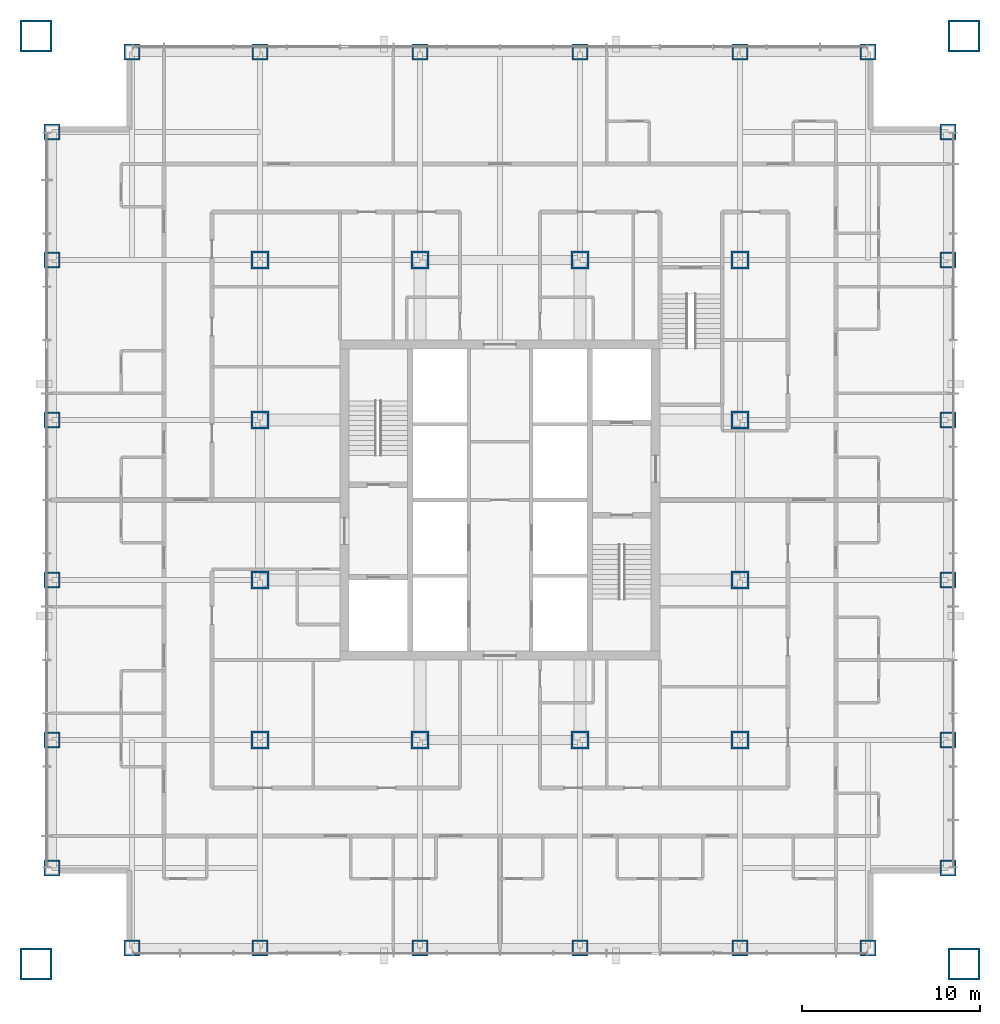
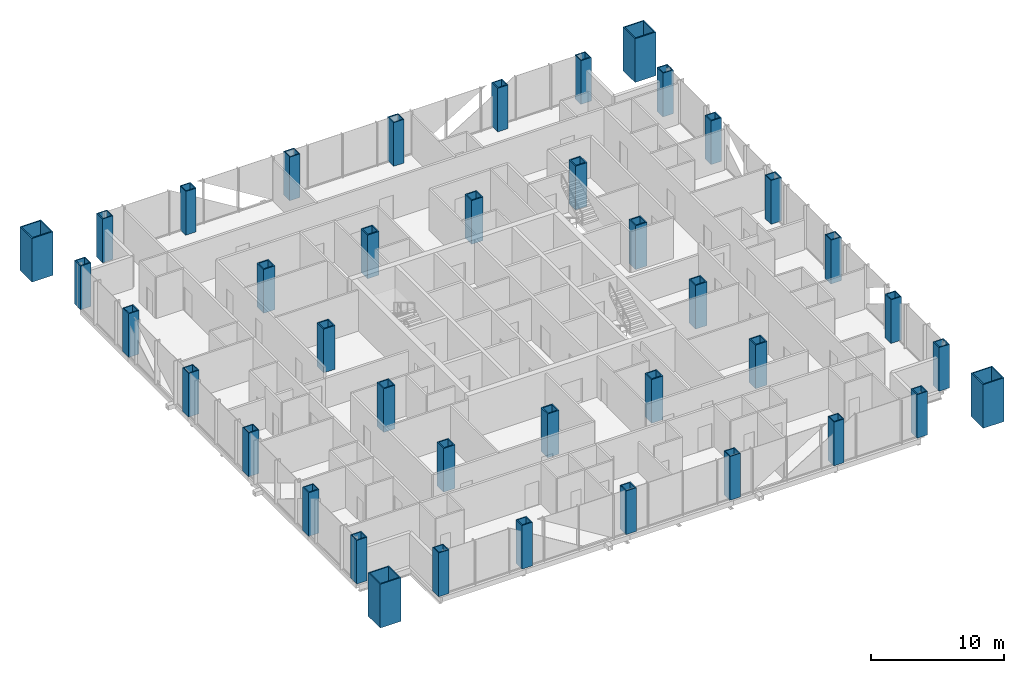
# One storey, part 1 of 17: 40 columns.
"""IFC4 building model written with IfcOpenShell, lengths in metres."""

from ifc_helpers import new_model, si_unit, direction, frame, origin, origin_2d, place, context, subcontext, project, spatial, hollow_rectangle, extrude, material, material_profile, profile_set, type_object, element, save


model = new_model("IFC4")

# Units and contexts
model_context = context("Model", 3, precision=1e-05, world=origin(), true_north=direction((0.0, 1.0)))
body_context = subcontext(model_context, "Body", "Model", "MODEL_VIEW")
ifc_project = project(units=[si_unit("LENGTHUNIT", "METRE"), si_unit("AREAUNIT", "SQUARE_METRE"), si_unit("VOLUMEUNIT", "CUBIC_METRE"), si_unit("PLANEANGLEUNIT", "RADIAN"), si_unit("MASSUNIT", "GRAM", prefix="KILO")], contexts=[model_context])

# Site, building, storey
site_placement = place(None, origin())
site = spatial("IfcSite", under=ifc_project, at=site_placement, CompositionType="ELEMENT")
building_placement = place(site_placement, origin())
building = spatial("IfcBuilding", under=site, at=building_placement, Name="Malebo Sky Hospital", CompositionType="ELEMENT")
storey_placement = place(building_placement, frame((0.0, 0.0, 83.0)))
storey = spatial("IfcBuildingStorey", under=building, at=storey_placement, Name="L19", CompositionType="ELEMENT", Elevation=83.0)

# Columns
ifc_material = material(Name="Steel S460", Category="steel")
ifc_material_profile_1 = material_profile(ifc_material, hollow_rectangle(XDim=1.0, YDim=1.0, WallThickness=0.10009765625, at=origin_2d()), Name="BOX 1000x1000x100")
ifc_profile_set_1 = profile_set([ifc_material_profile_1], Name="Steel S460")
column_type_1 = type_object("IfcColumnType", Name="INNER COLUMN BOX 1000x1000x100", PredefinedType="COLUMN", material=ifc_profile_set_1)
for number, where, z_axis, x_axis, name in (
    (1, (46.5, 48.5, 0.0), (0.0, 0.0, 1.0), (1.0, 0.0, 0.0), "Column IC9 L19"),
    (2, (73.5, 48.5, 0.0), (0.0, 0.0, 1.0), (1.0, 0.0, 0.0), "Column IC9 L19"),
    (3, (73.5, 75.5, 0.0), (0.0, 0.0, 1.0), (1.0, 0.0, 0.0), "Column IC9 L19"),
    (4, (46.5, 75.5, 0.0), (0.0, 0.0, 1.0), (1.0, 0.0, 0.0), "Column IC9 L19"),
    (5, (55.5, 48.5, 0.0), (0.0, 0.0, 1.0), (1.0, 0.0, 0.0), "Column IC9 L19"),
    (6, (64.5, 48.5, 0.0), (0.0, 0.0, 1.0), (1.0, 0.0, 0.0), "Column IC9 L19"),
    (7, (55.5, 75.5, 0.0), (0.0, 0.0, 1.0), (1.0, 0.0, 0.0), "Column IC9 L19"),
    (8, (64.5, 75.5, 0.0), (0.0, 0.0, 1.0), (1.0, 0.0, 0.0), "Column IC9 L19"),
    (9, (46.5, 57.5, 0.0), (0.0, 0.0, 1.0), (1.0, 0.0, 0.0), "Column IC9 L19"),
    (10, (46.5, 66.5, 0.0), (0.0, 0.0, 1.0), (1.0, 0.0, 0.0), "Column IC9 L19"),
    (11, (73.5, 57.5, 0.0), (0.0, 0.0, 1.0), (1.0, 0.0, 0.0), "Column IC9 L19"),
    (12, (73.5, 66.5, 0.0), (0.0, 0.0, 1.0), (1.0, 0.0, 0.0), "Column IC9 L19"),
):
    element("IfcColumn", number, at=place(storey_placement, frame(where, z_axis=z_axis, x_axis=x_axis)), inside=storey, type_object=column_type_1, Name=name, PredefinedType="COLUMN", context=body_context, shape_type="SweptSolid", body=[
        extrude(hollow_rectangle(XDim=1.0, YDim=1.0, WallThickness=0.10009765625, at=origin_2d()), origin(), (0.0, 0.0, 1.0), 4.0),
    ])
ifc_material_profile_2 = material_profile(ifc_material, hollow_rectangle(XDim=1.800048828125, YDim=1.800048828125, WallThickness=0.10009765625, at=origin_2d()), Name="BOX 1800x1800x100")
ifc_profile_set_2 = profile_set([ifc_material_profile_2], Name="Steel S460")
column_type_2 = type_object("IfcColumnType", Name="MEGA COLUMN BOX 1800x1800x100", PredefinedType="COLUMN", material=ifc_profile_set_2)
for number, where, z_axis, x_axis, name in (
    (13, (33.89990234375, 35.89990234375, 0.0), (0.0, 0.0, 1.0), (1.0, 0.0, 0.0), "Mega column SW L19"),
    (14, (86.10009765625, 35.89990234375, 0.0), (0.0, 0.0, 1.0), (1.0, 0.0, 0.0), "Mega column SE L19"),
    (15, (86.10009765625, 88.10009765625, 0.0), (0.0, 0.0, 1.0), (1.0, 0.0, 0.0), "Mega column NE L19"),
    (16, (33.89990234375, 88.10009765625, 0.0), (0.0, 0.0, 1.0), (1.0, 0.0, 0.0), "Mega column NW L19"),
):
    element("IfcColumn", number, at=place(storey_placement, frame(where, z_axis=z_axis, x_axis=x_axis)), inside=storey, type_object=column_type_2, Name=name, PredefinedType="COLUMN", context=body_context, shape_type="SweptSolid", body=[
        extrude(hollow_rectangle(XDim=1.800048828125, YDim=1.800048828125, WallThickness=0.10009765625, at=origin_2d()), origin(), (0.0, 0.0, 1.0), 4.0),
    ])
ifc_material_profile_3 = material_profile(ifc_material, hollow_rectangle(XDim=0.89990234375, YDim=0.89990234375, WallThickness=0.080078125, at=origin_2d()), Name="BOX 900x900x80")
ifc_profile_set_3 = profile_set([ifc_material_profile_3], Name="Steel S460")
column_type_3 = type_object("IfcColumnType", Name="PERIMETER COLUMN BOX 900x900x80", PredefinedType="COLUMN", material=ifc_profile_set_3)
for number, where, z_axis, x_axis, name in (
    (17, (39.300048828125, 36.800048828125, 0.0), (0.0, 0.0, 1.0), (1.0, 0.0, 0.0), "Column PC8 L19"),
    (18, (39.300048828125, 87.199951171875, 0.0), (0.0, 0.0, 1.0), (1.0, 0.0, 0.0), "Column PC8 L19"),
    (19, (34.800048828125, 41.300048828125, 0.0), (0.0, 0.0, 1.0), (1.0, 0.0, 0.0), "Column PC8 L19"),
    (20, (85.199951171875, 41.300048828125, 0.0), (0.0, 0.0, 1.0), (1.0, 0.0, 0.0), "Column PC8 L19"),
    (21, (46.5, 36.800048828125, 0.0), (0.0, 0.0, 1.0), (1.0, 0.0, 0.0), "Column PC8 L19"),
    (22, (46.5, 87.199951171875, 0.0), (0.0, 0.0, 1.0), (1.0, 0.0, 0.0), "Column PC8 L19"),
    (23, (34.800048828125, 48.5, 0.0), (0.0, 0.0, 1.0), (1.0, 0.0, 0.0), "Column PC8 L19"),
    (24, (85.199951171875, 48.5, 0.0), (0.0, 0.0, 1.0), (1.0, 0.0, 0.0), "Column PC8 L19"),
    (25, (55.5, 36.800048828125, 0.0), (0.0, 0.0, 1.0), (1.0, 0.0, 0.0), "Column PC8 L19"),
    (26, (55.5, 87.199951171875, 0.0), (0.0, 0.0, 1.0), (1.0, 0.0, 0.0), "Column PC8 L19"),
    (27, (34.800048828125, 57.5, 0.0), (0.0, 0.0, 1.0), (1.0, 0.0, 0.0), "Column PC8 L19"),
    (28, (85.199951171875, 57.5, 0.0), (0.0, 0.0, 1.0), (1.0, 0.0, 0.0), "Column PC8 L19"),
    (29, (64.5, 36.800048828125, 0.0), (0.0, 0.0, 1.0), (1.0, 0.0, 0.0), "Column PC8 L19"),
    (30, (64.5, 87.199951171875, 0.0), (0.0, 0.0, 1.0), (1.0, 0.0, 0.0), "Column PC8 L19"),
    (31, (34.800048828125, 66.5, 0.0), (0.0, 0.0, 1.0), (1.0, 0.0, 0.0), "Column PC8 L19"),
    (32, (85.199951171875, 66.5, 0.0), (0.0, 0.0, 1.0), (1.0, 0.0, 0.0), "Column PC8 L19"),
    (33, (73.5, 36.800048828125, 0.0), (0.0, 0.0, 1.0), (1.0, 0.0, 0.0), "Column PC8 L19"),
    (34, (73.5, 87.199951171875, 0.0), (0.0, 0.0, 1.0), (1.0, 0.0, 0.0), "Column PC8 L19"),
    (35, (34.800048828125, 75.5, 0.0), (0.0, 0.0, 1.0), (1.0, 0.0, 0.0), "Column PC8 L19"),
    (36, (85.199951171875, 75.5, 0.0), (0.0, 0.0, 1.0), (1.0, 0.0, 0.0), "Column PC8 L19"),
    (37, (80.699951171875, 36.800048828125, 0.0), (0.0, 0.0, 1.0), (1.0, 0.0, 0.0), "Column PC8 L19"),
    (38, (80.699951171875, 87.199951171875, 0.0), (0.0, 0.0, 1.0), (1.0, 0.0, 0.0), "Column PC8 L19"),
    (39, (34.800048828125, 82.699951171875, 0.0), (0.0, 0.0, 1.0), (1.0, 0.0, 0.0), "Column PC8 L19"),
    (40, (85.199951171875, 82.699951171875, 0.0), (0.0, 0.0, 1.0), (1.0, 0.0, 0.0), "Column PC8 L19"),
):
    element("IfcColumn", number, at=place(storey_placement, frame(where, z_axis=z_axis, x_axis=x_axis)), inside=storey, type_object=column_type_3, Name=name, PredefinedType="COLUMN", context=body_context, shape_type="SweptSolid", body=[
        extrude(hollow_rectangle(XDim=0.89990234375, YDim=0.89990234375, WallThickness=0.080078125, at=origin_2d()), origin(), (0.0, 0.0, 1.0), 4.0),
    ])

save(model, "model.ifc")
